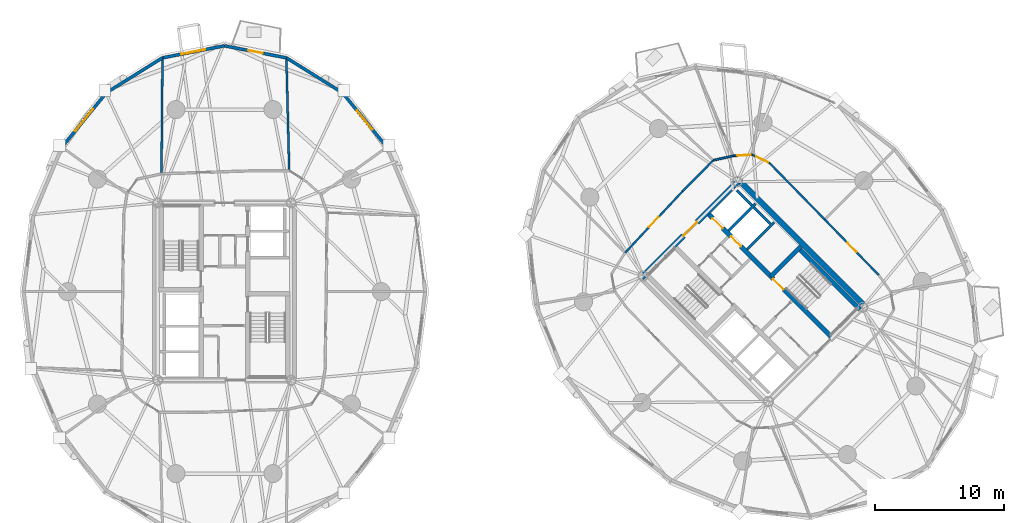
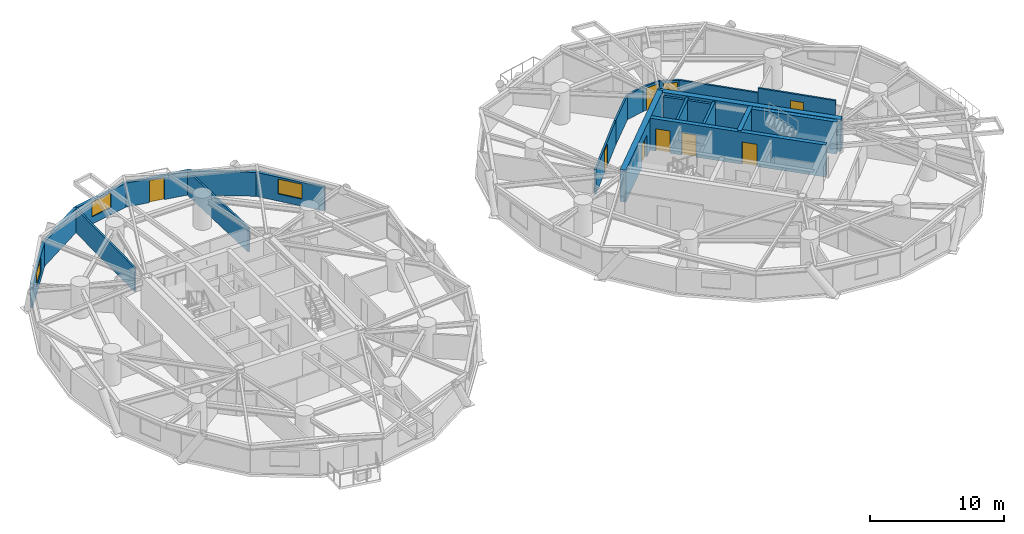
# One storey, part 14 of 19: 24 walls, 9 doors, 3 windows, 12 openings.
"""IFC4 building model written with IfcOpenShell, lengths in metres."""

from ifc_helpers import new_model, si_unit, direction, frame, frame_2d, origin, place, context, subcontext, project, spatial, rectangle, extrude, source, transform, mapped, material, layer, layer_set, type_object, element, fill, save


model = new_model("IFC4")

# Units and contexts
model_context = context("Model", 3, precision=1e-05, world=origin(), true_north=direction((0.0, 1.0)))
body_context = subcontext(model_context, "Body", "Model", "MODEL_VIEW")
ifc_project = project(units=[si_unit("LENGTHUNIT", "METRE"), si_unit("AREAUNIT", "SQUARE_METRE"), si_unit("VOLUMEUNIT", "CUBIC_METRE"), si_unit("PLANEANGLEUNIT", "RADIAN"), si_unit("MASSUNIT", "GRAM", prefix="KILO")], contexts=[model_context])

# Site, building, storey
site_placement = place(None, origin())
site = spatial("IfcSite", under=ifc_project, at=site_placement, CompositionType="ELEMENT")
building_placement = place(site_placement, origin())
building = spatial("IfcBuilding", under=site, at=building_placement, Name="Cununo Teusaquillo Station Towers", CompositionType="ELEMENT")
storey_placement = place(building_placement, frame((0.0, 0.0, 84.699951171875)))
storey = spatial("IfcBuildingStorey", under=building, at=storey_placement, Name="L26", CompositionType="ELEMENT", Elevation=84.699951171875)

# Walls
ifc_material_1 = material(Name="Concrete C50/60", Category="concrete")
ifc_layer_1 = layer(ifc_material_1, 0.199951171875)
ifc_layer_set_1 = layer_set([ifc_layer_1], Name="Concrete C50/60")
wall_type_1 = type_object("IfcWallType", Name="WL-CORE-200", PredefinedType="SHEAR", material=ifc_layer_set_1)
wall_1_placement = place(storey_placement, frame((57.0615234375, 27.781005859375, 0.0), z_axis=(0.0, 0.0, 1.0), x_axis=(0.707106781187, 0.707106781187, 0.0)))
element("IfcWall", 1, at=wall_1_placement, inside=storey, type_object=wall_type_1, Name="L26 Tower B Low-Rise Lift Hoistway South Shear Wall", PredefinedType="SHEAR", context=body_context, shape_type="SweptSolid", body=[
    extrude(rectangle(XDim=2.969970703125, YDim=0.199951171875, at=frame_2d((1.48486328125, 0.0))), origin(), (0.0, 0.0, 1.0), 2.91015625),
])
wall_2_placement = place(storey_placement, frame((55.615478515625, 29.22705078125, 0.0), z_axis=(0.0, 0.0, 1.0), x_axis=(0.707147878904, 0.70706568108, 0.0)))
element("IfcWall", 2, at=wall_2_placement, inside=storey, type_object=wall_type_1, Name="L26 Tower B Low-Rise Lift Hoistway Divider Shear Wall", PredefinedType="SHEAR", context=body_context, shape_type="SweptSolid", body=[
    extrude(rectangle(XDim=2.97021484375, YDim=0.199951171875, at=frame_2d((1.485107421875, 0.0))), origin(), (0.0, 0.0, 1.0), 2.91015625),
])
wall_3_placement = place(storey_placement, frame((58.86474609375, 29.75390625, 0.0), z_axis=(0.0, 0.0, 1.0), x_axis=(-0.707174411312, 0.707039144592, 0.0)))
element("IfcWall", 3, at=wall_3_placement, inside=storey, type_object=wall_type_1, Name="L26 Tower B Low-Rise Lift 1 Shaft Rear Shear Wall", PredefinedType="SHEAR", context=body_context, shape_type="SweptSolid", body=[
    extrude(rectangle(XDim=1.804931640625, YDim=0.199951171875, at=frame_2d((0.90234375, 0.0))), origin(), (0.0, 0.0, 1.0), 2.91015625),
])
wall_4_placement = place(storey_placement, frame((57.418701171875, 31.19970703125, 0.0), z_axis=(0.0, 0.0, 1.0), x_axis=(-0.707032117043, 0.707181437447, 0.0)))
element("IfcWall", 4, at=wall_4_placement, inside=storey, type_object=wall_type_1, Name="L26 Tower B Low-Rise Lift 2 Shaft Rear Shear Wall", PredefinedType="SHEAR", context=body_context, shape_type="SweptSolid", body=[
    extrude(rectangle(XDim=1.635009765625, YDim=0.199951171875, at=frame_2d((0.8173828125, 0.0))), origin(), (0.0, 0.0, 1.0), 2.91015625),
])

# Wall, openings, doors
ifc_material_2 = material(Name="Concrete C50/60", Category="concrete")
ifc_layer_2 = layer(ifc_material_2, 0.35009765625)
ifc_layer_set_2 = layer_set([ifc_layer_2], Name="Concrete C50/60")
wall_type_2 = type_object("IfcWallType", Name="WL-CORE-350", PredefinedType="SHEAR", material=ifc_layer_set_2)
wall_5_placement = place(storey_placement, frame((63.644775390625, 20.922119140625, 0.0), z_axis=(0.0, 0.0, 1.0), x_axis=(-0.707106781187, 0.707106781187, 0.0)))
wall_5 = element("IfcWall", 5, at=wall_5_placement, inside=storey, type_object=wall_type_2, Name="L26 Tower B Core Shear Wall IE", PredefinedType="SHEAR", context=body_context, shape_type="SweptSolid", body=[
    extrude(rectangle(XDim=13.75, YDim=0.35009765625, at=frame_2d((6.875, 0.0))), origin(), (0.0, 0.0, 1.0), 2.91015625),
])
shared_shape_1 = source(origin(), body_context, "Body", "SweptSolid", [
    extrude(rectangle(XDim=1.10009765625, YDim=2.014892578125, at=frame_2d((0.550048828125, 1.00732421875))), frame((0.0, 0.18505859375, 0.0), z_axis=(0.0, -1.0, 0.0), x_axis=(1.0, 0.0, 0.0)), (0.0, 0.0, 1.0), 0.3701171875),
])
opening_1_placement = place(wall_5_placement, frame((10.0, 0.0, 0.0)))
opening_1 = element("IfcOpeningElement", 6, at=opening_1_placement, cuts=wall_5, Name="Opening LD-01", PredefinedType="OPENING", context=body_context, shape_type="MappedRepresentation", body=[
    mapped(shared_shape_1, transform((0.0, 0.0, 0.0), x_axis=(1.0, 0.0, 0.0), y_axis=(0.0, 1.0, 0.0), z_axis=(0.0, 0.0, 1.0), scale=1.0)),
])
opening_2_placement = place(wall_5_placement, frame((12.0, 0.0, 0.0)))
opening_2 = element("IfcOpeningElement", 7, at=opening_2_placement, cuts=wall_5, Name="Opening LD-01", PredefinedType="OPENING", context=body_context, shape_type="MappedRepresentation", body=[
    mapped(shared_shape_1, transform((0.0, 0.0, 0.0), x_axis=(1.0, 0.0, 0.0), y_axis=(0.0, 1.0, 0.0), z_axis=(0.0, 0.0, 1.0), scale=1.0)),
])
shared_shape_2 = source(origin(), body_context, "Body", "SweptSolid", [
    extrude(rectangle(XDim=1.14990234375, YDim=2.02001953125, at=frame_2d((0.574951171875, 1.010009765625))), frame((0.0, 0.18505859375, 0.0), z_axis=(0.0, -1.0, 0.0), x_axis=(1.0, 0.0, 0.0)), (0.0, 0.0, 1.0), 0.3701171875),
])
opening_3_placement = place(wall_5_placement, frame((5.304931640625, 0.0, 0.0)))
opening_3 = element("IfcOpeningElement", 8, at=opening_3_placement, cuts=wall_5, Name="Opening D-ST1", PredefinedType="OPENING", context=body_context, shape_type="MappedRepresentation", body=[
    mapped(shared_shape_2, transform((0.0, 0.0, 0.0), x_axis=(1.0, 0.0, 0.0), y_axis=(0.0, 1.0, 0.0), z_axis=(0.0, 0.0, 1.0), scale=1.0)),
])
ifc_material_3 = material(Name="Galvanised fire-rated hollow steel door assembly", Category="steel")
door_type_1 = type_object("IfcDoorType", Name="DR-LIFT-1100", OperationType="SLIDING_TO_LEFT", PredefinedType="DOOR", material=ifc_material_3)
shared_shape_3 = source(origin(), body_context, "Body", "SweptSolid", [
    extrude(rectangle(XDim=1.10009765625, YDim=2.014892578125, at=frame_2d((0.550048828125, 1.00732421875))), frame((0.0, 0.02490234375, 0.0), z_axis=(0.0, -1.0, 0.0), x_axis=(1.0, 0.0, 0.0)), (0.0, 0.0, 1.0), 0.050048828125),
])
door_1_placement = place(opening_1_placement, origin())
door_1 = element("IfcDoor", 9, at=door_1_placement, inside=storey, type_object=door_type_1, Name="L26 Lift PL-T2-L1 Sliding Landing Door", OperationType="SLIDING_TO_RIGHT", OverallHeight=2.014892578125, OverallWidth=1.10009765625, PredefinedType="DOOR", context=body_context, shape_type="MappedRepresentation", body=[
    mapped(shared_shape_3, transform((0.0, 0.0, 0.0), x_axis=(1.0, 0.0, 0.0), y_axis=(0.0, 1.0, 0.0), z_axis=(0.0, 0.0, 1.0), scale=1.0)),
])
fill(opening_1, door_1)
door_2_placement = place(opening_2_placement, origin())
door_2 = element("IfcDoor", 10, at=door_2_placement, inside=storey, type_object=door_type_1, Name="L26 Lift PL-T2-L2 Sliding Landing Door", OperationType="SLIDING_TO_LEFT", OverallHeight=2.014892578125, OverallWidth=1.10009765625, PredefinedType="DOOR", context=body_context, shape_type="MappedRepresentation", body=[
    mapped(shared_shape_3, transform((0.0, 0.0, 0.0), x_axis=(1.0, 0.0, 0.0), y_axis=(0.0, 1.0, 0.0), z_axis=(0.0, 0.0, 1.0), scale=1.0)),
])
fill(opening_2, door_2)
ifc_material_4 = material(Name="Galvanised fire-rated hollow steel door assembly", Category="steel")
door_type_2 = type_object("IfcDoorType", Name="DR-STAIR-1150", OperationType="NOTDEFINED", PredefinedType="DOOR", material=ifc_material_4)
shared_shape_4 = source(origin(), body_context, "Body", "SweptSolid", [
    extrude(rectangle(XDim=1.14990234375, YDim=2.02001953125, at=frame_2d((0.574951171875, 1.010009765625))), frame((0.0, 0.02490234375, 0.0), z_axis=(0.0, -1.0, 0.0), x_axis=(1.0, 0.0, 0.0)), (0.0, 0.0, 1.0), 0.050048828125),
])
door_3_placement = place(opening_3_placement, origin())
door_3 = element("IfcDoor", 11, at=door_3_placement, inside=storey, type_object=door_type_2, Name="L26 Tower B Exit Stair 2 Fire Door", OperationType="SINGLE_SWING_LEFT", OverallHeight=2.02001953125, OverallWidth=1.14990234375, PredefinedType="DOOR", context=body_context, shape_type="MappedRepresentation", body=[
    mapped(shared_shape_4, transform((0.0, 0.0, 0.0), x_axis=(1.0, 0.0, 0.0), y_axis=(0.0, 1.0, 0.0), z_axis=(0.0, 0.0, 1.0), scale=1.0)),
])
fill(opening_3, door_3)

# Walls
wall_6_placement = place(storey_placement, frame((65.82958984375, 23.10693359375, 0.0), z_axis=(0.0, 0.0, 1.0), x_axis=(-0.707088616009, 0.707124945897, 0.0)))
element("IfcWall", 12, at=wall_6_placement, inside=storey, type_object=wall_type_2, Name="L26 Tower B Core Shear Wall ST2E", PredefinedType="SHEAR", context=body_context, shape_type="SweptSolid", body=[
    extrude(rectangle(XDim=6.72021484375, YDim=0.35009765625, at=frame_2d((3.360107421875, 0.0))), origin(), (0.0, 0.0, 1.0), 2.91015625),
])
wall_7_placement = place(storey_placement, frame((58.89306640625, 25.673828125, 0.0), z_axis=(0.0, 0.0, 1.0), x_axis=(0.707106781187, 0.707106781187, 0.0)))
element("IfcWall", 13, at=wall_7_placement, inside=storey, type_object=wall_type_2, Name="L26 Tower B Core Shear Wall ST2N", PredefinedType="SHEAR", context=body_context, shape_type="SweptSolid", body=[
    extrude(rectangle(XDim=3.284912109375, YDim=0.35009765625, at=frame_2d((1.642578125, 0.0))), origin(), (0.0, 0.0, 1.0), 2.91015625),
])
ifc_material_5 = material(Name="Concrete C60/75", Category="concrete")
ifc_layer_3 = layer(ifc_material_5, 0.449951171875)
ifc_layer_set_3 = layer_set([ifc_layer_3], Name="Concrete C60/75")
wall_type_3 = type_object("IfcWallType", Name="WL-CORE-450", PredefinedType="SHEAR", material=ifc_layer_set_3)
wall_8_placement = place(storey_placement, frame((66.303466796875, 23.2626953125, 0.0), z_axis=(0.0, 0.0, 1.0), x_axis=(-0.707106781187, 0.707106781187, 0.0)))
element("IfcWall", 14, at=wall_8_placement, inside=storey, type_object=wall_type_3, Name="L26 Tower B Core Shear Wall E", PredefinedType="SHEAR", context=body_context, shape_type="SweptSolid", body=[
    extrude(rectangle(XDim=14.19970703125, YDim=0.449951171875, at=frame_2d((7.099853515625, 0.0))), origin(), (0.0, 0.0, 1.0), 2.91015625),
])

# Wall, opening, door
wall_9_placement = place(storey_placement, frame((48.855712890625, 25.578369140625, 0.0), z_axis=(0.0, 0.0, 1.0), x_axis=(0.707106781187, 0.707106781187, 0.0)))
wall_9 = element("IfcWall", 15, at=wall_9_placement, inside=storey, type_object=wall_type_3, Name="L26 Tower B Core Shear Wall N", PredefinedType="SHEAR", context=body_context, shape_type="SweptSolid", body=[
    extrude(rectangle(XDim=10.69970703125, YDim=0.449951171875, at=frame_2d((5.349853515625, 0.0))), origin(), (0.0, 0.0, 1.0), 2.91015625),
])
shared_shape_5 = source(origin(), body_context, "Body", "SweptSolid", [
    extrude(rectangle(XDim=1.5, YDim=2.02001953125, at=frame_2d((0.75, 1.010009765625))), frame((0.0, 0.23486328125, 0.0), z_axis=(0.0, -1.0, 0.0), x_axis=(1.0, 0.0, 0.0)), (0.0, 0.0, 1.0), 0.469970703125),
])
opening_4_placement = place(wall_9_placement, frame((4.60009765625, 0.0, 0.0)))
opening_4 = element("IfcOpeningElement", 16, at=opening_4_placement, cuts=wall_9, Name="Opening D-LB1", PredefinedType="OPENING", context=body_context, shape_type="MappedRepresentation", body=[
    mapped(shared_shape_5, transform((0.0, 0.0, 0.0), x_axis=(1.0, 0.0, 0.0), y_axis=(0.0, 1.0, 0.0), z_axis=(0.0, 0.0, 1.0), scale=1.0)),
])
ifc_material_6 = material(Name="Galvanised fire-rated hollow steel door assembly", Category="steel")
door_type_3 = type_object("IfcDoorType", Name="DR-LOBBY-1500", OperationType="DOUBLE_DOOR_SINGLE_SWING", PredefinedType="DOOR", material=ifc_material_6)
shared_shape_6 = source(origin(), body_context, "Body", "SweptSolid", [
    extrude(rectangle(XDim=1.5, YDim=2.02001953125, at=frame_2d((0.75, 1.010009765625))), frame((0.0, 0.02490234375, 0.0), z_axis=(0.0, -1.0, 0.0), x_axis=(1.0, 0.0, 0.0)), (0.0, 0.0, 1.0), 0.050048828125),
])
door_4_placement = place(opening_4_placement, origin())
door_4 = element("IfcDoor", 17, at=door_4_placement, inside=storey, type_object=door_type_3, Name="L26 Tower B North Core Lift Lobby Door", OperationType="DOUBLE_DOOR_SINGLE_SWING", OverallHeight=2.02001953125, OverallWidth=1.5, PredefinedType="DOOR", context=body_context, shape_type="MappedRepresentation", body=[
    mapped(shared_shape_6, transform((0.0, 0.0, 0.0), x_axis=(1.0, 0.0, 0.0), y_axis=(0.0, 1.0, 0.0), z_axis=(0.0, 0.0, 1.0), scale=1.0)),
])
fill(opening_4, door_4)

# Wall, opening, window
ifc_material_7 = material(Name="Precast concrete C40/50", Category="concrete")
ifc_layer_4 = layer(ifc_material_7, 0.239990234375)
ifc_layer_set_4 = layer_set([ifc_layer_4], Name="Precast concrete C40/50")
wall_type_4 = type_object("IfcWallType", Name="WL-EXT-240", PredefinedType="SOLIDWALL", material=ifc_layer_set_4)
wall_10_placement = place(storey_placement, frame((25.658203125, 39.927978515625, 0.0), z_axis=(0.0, 0.0, 1.0), x_axis=(0.632700781152, -0.77439635945, 0.0)))
wall_10 = element("IfcWall", 18, at=wall_10_placement, inside=storey, type_object=wall_type_4, Name="L26 Tower A Exterior Facade Wall C02", PredefinedType="SOLIDWALL", context=body_context, shape_type="SweptSolid", body=[
    extrude(rectangle(XDim=5.447998046875, YDim=0.239990234375, at=frame_2d((2.72412109375, 0.0))), origin(), (0.0, 0.0, 1.0), 2.178955078125),
])
shared_shape_7 = source(origin(), body_context, "Body", "SweptSolid", [
    extrude(rectangle(XDim=1.89990234375, YDim=1.35009765625, at=frame_2d((0.949951171875, 0.675048828125))), frame((0.0, 0.1298828125, 0.0), z_axis=(0.0, -1.0, 0.0), x_axis=(1.0, 0.0, 0.0)), (0.0, 0.0, 1.0), 0.260009765625),
])
opening_5_placement = place(wall_10_placement, frame((1.77392578125, 0.0, 0.64990234375)))
opening_5 = element("IfcOpeningElement", 19, at=opening_5_placement, cuts=wall_10, Name="Opening WN-02", PredefinedType="OPENING", context=body_context, shape_type="MappedRepresentation", body=[
    mapped(shared_shape_7, transform((0.0, 0.0, 0.0), x_axis=(1.0, 0.0, 0.0), y_axis=(0.0, 1.0, 0.0), z_axis=(0.0, 0.0, 1.0), scale=1.0)),
])
ifc_material_8 = material(Name="Operable acoustic tinted low-E double glazing", Category="glass")
window_type_1 = type_object("IfcWindowType", Name="WIN-OPER-1900", PartitioningType="DOUBLE_PANEL_VERTICAL", PredefinedType="WINDOW", material=ifc_material_8)
shared_shape_8 = source(origin(), body_context, "Body", "SweptSolid", [
    extrude(rectangle(XDim=1.89990234375, YDim=1.35009765625, at=frame_2d((0.949951171875, 0.675048828125))), frame((0.0, 0.030029296875, 0.0), z_axis=(0.0, -1.0, 0.0), x_axis=(1.0, 0.0, 0.0)), (0.0, 0.0, 1.0), 0.06005859375),
])
window_1_placement = place(opening_5_placement, origin())
window_1 = element("IfcWindow", 20, at=window_1_placement, inside=storey, type_object=window_type_1, Name="L26 Tower A Facade Window C02", OverallHeight=1.35009765625, OverallWidth=1.89990234375, PartitioningType="DOUBLE_PANEL_VERTICAL", PredefinedType="WINDOW", context=body_context, shape_type="MappedRepresentation", body=[
    mapped(shared_shape_8, transform((0.0, 0.0, 0.0), x_axis=(1.0, 0.0, 0.0), y_axis=(0.0, 1.0, 0.0), z_axis=(0.0, 0.0, 1.0), scale=1.0)),
])
fill(opening_5, window_1)

# Wall
wall_11_placement = place(storey_placement, frame((21.314697265625, 42.63671875, 0.0), z_axis=(0.0, 0.0, 1.0), x_axis=(0.848520380187, -0.529162701263, 0.0)))
element("IfcWall", 21, at=wall_11_placement, inside=storey, type_object=wall_type_4, Name="L26 Tower A Exterior Facade Wall C03", PredefinedType="SOLIDWALL", context=body_context, shape_type="SweptSolid", body=[
    extrude(rectangle(XDim=5.118896484375, YDim=0.239990234375, at=frame_2d((2.5595703125, 0.0))), origin(), (0.0, 0.0, 1.0), 2.178955078125),
])

# Wall, opening, door
wall_12_placement = place(storey_placement, frame((16.5, 43.570068359375, 0.0), z_axis=(0.0, 0.0, 1.0), x_axis=(0.981723785992, -0.190311344954, 0.0)))
wall_12 = element("IfcWall", 22, at=wall_12_placement, inside=storey, type_object=wall_type_4, Name="L26 Tower A Exterior Facade Wall C04", PredefinedType="SOLIDWALL", context=body_context, shape_type="SweptSolid", body=[
    extrude(rectangle(XDim=4.904296875, YDim=0.239990234375, at=frame_2d((2.4521484375, 0.0))), origin(), (0.0, 0.0, 1.0), 2.178955078125),
])
shared_shape_9 = source(origin(), body_context, "Body", "SweptSolid", [
    extrude(rectangle(XDim=1.14990234375, YDim=2.0048828125, at=frame_2d((0.574951171875, 1.00244140625))), frame((0.0, 0.1298828125, 0.0), z_axis=(0.0, -1.0, 0.0), x_axis=(1.0, 0.0, 0.0)), (0.0, 0.0, 1.0), 0.260009765625),
])
opening_6_placement = place(wall_12_placement, frame((1.876953125, 0.0, 0.0)))
opening_6 = element("IfcOpeningElement", 23, at=opening_6_placement, cuts=wall_12, Name="Opening ED-03", PredefinedType="OPENING", context=body_context, shape_type="MappedRepresentation", body=[
    mapped(shared_shape_9, transform((0.0, 0.0, 0.0), x_axis=(1.0, 0.0, 0.0), y_axis=(0.0, 1.0, 0.0), z_axis=(0.0, 0.0, 1.0), scale=1.0)),
])
ifc_material_9 = material(Name="Anodised dark bronze aluminium EN AW-6063-T6", Category="aluminium")
door_type_4 = type_object("IfcDoorType", Name="DR-EXT-BAL", OperationType="NOTDEFINED", PredefinedType="DOOR", material=ifc_material_9)
shared_shape_10 = source(origin(), body_context, "Body", "SweptSolid", [
    extrude(rectangle(XDim=1.14990234375, YDim=2.0048828125, at=frame_2d((0.574951171875, 1.00244140625))), frame((0.0, 0.02490234375, 0.0), z_axis=(0.0, -1.0, 0.0), x_axis=(1.0, 0.0, 0.0)), (0.0, 0.0, 1.0), 0.050048828125),
])
door_5_placement = place(opening_6_placement, origin())
door_5 = element("IfcDoor", 24, at=door_5_placement, inside=storey, type_object=door_type_4, Name="L26 Tower A Tree Balcony Door C04", OperationType="SINGLE_SWING_LEFT", OverallHeight=2.0048828125, OverallWidth=1.14990234375, PredefinedType="DOOR", context=body_context, shape_type="MappedRepresentation", body=[
    mapped(shared_shape_10, transform((0.0, 0.0, 0.0), x_axis=(1.0, 0.0, 0.0), y_axis=(0.0, 1.0, 0.0), z_axis=(0.0, 0.0, 1.0), scale=1.0)),
])
fill(opening_6, door_5)

# Wall, opening, window
wall_13_placement = place(storey_placement, frame((11.685302734375, 42.63671875, 0.0), z_axis=(0.0, 0.0, 1.0), x_axis=(0.981723785992, 0.190311344954, 0.0)))
wall_13 = element("IfcWall", 25, at=wall_13_placement, inside=storey, type_object=wall_type_4, Name="L26 Tower A Exterior Facade Wall C05", PredefinedType="SOLIDWALL", context=body_context, shape_type="SweptSolid", body=[
    extrude(rectangle(XDim=4.904296875, YDim=0.239990234375, at=frame_2d((2.4521484375, 0.0))), origin(), (0.0, 0.0, 1.0), 2.178955078125),
])
opening_7_placement = place(wall_13_placement, frame((1.501953125, 0.0, 0.64990234375)))
opening_7 = element("IfcOpeningElement", 26, at=opening_7_placement, cuts=wall_13, Name="Opening WN-02", PredefinedType="OPENING", context=body_context, shape_type="MappedRepresentation", body=[
    mapped(shared_shape_7, transform((0.0, 0.0, 0.0), x_axis=(1.0, 0.0, 0.0), y_axis=(0.0, 1.0, 0.0), z_axis=(0.0, 0.0, 1.0), scale=1.0)),
])
window_2_placement = place(opening_7_placement, origin())
window_2 = element("IfcWindow", 27, at=window_2_placement, inside=storey, type_object=window_type_1, Name="L26 Tower A Facade Window C05", OverallHeight=1.35009765625, OverallWidth=1.89990234375, PartitioningType="DOUBLE_PANEL_VERTICAL", PredefinedType="WINDOW", context=body_context, shape_type="MappedRepresentation", body=[
    mapped(shared_shape_8, transform((0.0, 0.0, 0.0), x_axis=(1.0, 0.0, 0.0), y_axis=(0.0, 1.0, 0.0), z_axis=(0.0, 0.0, 1.0), scale=1.0)),
])
fill(opening_7, window_2)

# Wall
wall_14_placement = place(storey_placement, frame((7.341796875, 39.927978515625, 0.0), z_axis=(0.0, 0.0, 1.0), x_axis=(0.848520380187, 0.529162701263, 0.0)))
element("IfcWall", 28, at=wall_14_placement, inside=storey, type_object=wall_type_4, Name="L26 Tower A Exterior Facade Wall C06", PredefinedType="SOLIDWALL", context=body_context, shape_type="SweptSolid", body=[
    extrude(rectangle(XDim=5.118896484375, YDim=0.239990234375, at=frame_2d((2.5595703125, 0.0))), origin(), (0.0, 0.0, 1.0), 2.178955078125),
])

# Wall, opening, window
wall_15_placement = place(storey_placement, frame((3.894775390625, 35.708984375, 0.0), z_axis=(0.0, 0.0, 1.0), x_axis=(0.632700781152, 0.77439635945, 0.0)))
wall_15 = element("IfcWall", 29, at=wall_15_placement, inside=storey, type_object=wall_type_4, Name="L26 Tower A Exterior Facade Wall C07", PredefinedType="SOLIDWALL", context=body_context, shape_type="SweptSolid", body=[
    extrude(rectangle(XDim=5.447998046875, YDim=0.239990234375, at=frame_2d((2.72412109375, 0.0))), origin(), (0.0, 0.0, 1.0), 2.178955078125),
])
shared_shape_11 = source(origin(), body_context, "Body", "SweptSolid", [
    extrude(rectangle(XDim=2.199951171875, YDim=1.35009765625, at=frame_2d((1.10009765625, 0.675048828125))), frame((0.0, 0.1298828125, 0.0), z_axis=(0.0, -1.0, 0.0), x_axis=(1.0, 0.0, 0.0)), (0.0, 0.0, 1.0), 0.260009765625),
])
opening_8_placement = place(wall_15_placement, frame((1.6240234375, 0.0, 0.64990234375)))
opening_8 = element("IfcOpeningElement", 30, at=opening_8_placement, cuts=wall_15, Name="Opening WN-01", PredefinedType="OPENING", context=body_context, shape_type="MappedRepresentation", body=[
    mapped(shared_shape_11, transform((0.0, 0.0, 0.0), x_axis=(1.0, 0.0, 0.0), y_axis=(0.0, 1.0, 0.0), z_axis=(0.0, 0.0, 1.0), scale=1.0)),
])
ifc_material_10 = material(Name="Ceramic-fritted dark low-E double glazing", Category="glass")
window_type_2 = type_object("IfcWindowType", Name="WIN-FRIT-2200", PartitioningType="DOUBLE_PANEL_VERTICAL", PredefinedType="WINDOW", material=ifc_material_10)
shared_shape_12 = source(origin(), body_context, "Body", "SweptSolid", [
    extrude(rectangle(XDim=2.199951171875, YDim=1.35009765625, at=frame_2d((1.10009765625, 0.675048828125))), frame((0.0, 0.030029296875, 0.0), z_axis=(0.0, -1.0, 0.0), x_axis=(1.0, 0.0, 0.0)), (0.0, 0.0, 1.0), 0.06005859375),
])
window_3_placement = place(opening_8_placement, origin())
window_3 = element("IfcWindow", 31, at=window_3_placement, inside=storey, type_object=window_type_2, Name="L26 Tower A Facade Window C07", OverallHeight=1.35009765625, OverallWidth=2.199951171875, PartitioningType="DOUBLE_PANEL_VERTICAL", PredefinedType="WINDOW", context=body_context, shape_type="MappedRepresentation", body=[
    mapped(shared_shape_12, transform((0.0, 0.0, 0.0), x_axis=(1.0, 0.0, 0.0), y_axis=(0.0, 1.0, 0.0), z_axis=(0.0, 0.0, 1.0), scale=1.0)),
])
fill(opening_8, window_3)

# Wall
ifc_material_11 = material(Name="Fire-rated gypsum plasterboard partition assembly", Category="gypsum")
ifc_layer_5 = layer(ifc_material_11, 0.14990234375)
ifc_layer_set_5 = layer_set([ifc_layer_5], Name="Fire-rated gypsum plasterboard partition assembly")
wall_type_5 = type_object("IfcWallType", Name="WL-PART-150", PredefinedType="PARTITIONING", material=ifc_layer_set_5)
wall_16_placement = place(storey_placement, frame((63.086181640625, 30.086181640625, 0.0), z_axis=(0.0, 0.0, 1.0), x_axis=(-0.699075897379, 0.715047473741, 0.0)))
element("IfcWall", 32, at=wall_16_placement, inside=storey, type_object=wall_type_5, Name="L26 Tower B Corridor Ring Wall C00", PredefinedType="PARTITIONING", context=body_context, shape_type="SweptSolid", body=[
    extrude(rectangle(XDim=6.1142578125, YDim=0.14990234375, at=frame_2d((3.05712890625, 0.0))), origin(), (0.0, 0.0, 1.0), 2.22509765625),
])

# Wall, opening, door
wall_17_placement = place(storey_placement, frame((58.811767578125, 34.458251953125, 0.0), z_axis=(0.0, 0.0, 1.0), x_axis=(-0.899559490277, 0.436798264021, 0.0)))
wall_17 = element("IfcWall", 33, at=wall_17_placement, inside=storey, type_object=wall_type_5, Name="L26 Tower B Corridor Ring Wall C01", PredefinedType="PARTITIONING", context=body_context, shape_type="SweptSolid", body=[
    extrude(rectangle(XDim=1.4951171875, YDim=0.14990234375, at=frame_2d((0.74755859375, 0.0))), origin(), (0.0, 0.0, 1.0), 2.22509765625),
])
shared_shape_13 = source(origin(), body_context, "Body", "SweptSolid", [
    extrude(rectangle(XDim=1.050048828125, YDim=2.014892578125, at=frame_2d((0.52490234375, 1.00732421875))), frame((0.0, 0.0849609375, 0.0), z_axis=(0.0, -1.0, 0.0), x_axis=(1.0, 0.0, 0.0)), (0.0, 0.0, 1.0), 0.169921875),
])
opening_9_placement = place(wall_17_placement, frame((0.1201171875, 0.0, 0.0)))
opening_9 = element("IfcOpeningElement", 34, at=opening_9_placement, cuts=wall_17, Name="Opening D-SU1", PredefinedType="OPENING", context=body_context, shape_type="MappedRepresentation", body=[
    mapped(shared_shape_13, transform((0.0, 0.0, 0.0), x_axis=(1.0, 0.0, 0.0), y_axis=(0.0, 1.0, 0.0), z_axis=(0.0, 0.0, 1.0), scale=1.0)),
])
ifc_material_12 = material(Name="Acoustic solid-core hardwood leaf assembly", Category="wood")
door_type_5 = type_object("IfcDoorType", Name="DR-SUITE-1050", OperationType="NOTDEFINED", PredefinedType="DOOR", material=ifc_material_12)
shared_shape_14 = source(origin(), body_context, "Body", "SweptSolid", [
    extrude(rectangle(XDim=1.050048828125, YDim=2.014892578125, at=frame_2d((0.52490234375, 1.00732421875))), frame((0.0, 0.02490234375, 0.0), z_axis=(0.0, -1.0, 0.0), x_axis=(1.0, 0.0, 0.0)), (0.0, 0.0, 1.0), 0.050048828125),
])
door_6_placement = place(opening_9_placement, origin())
door_6 = element("IfcDoor", 35, at=door_6_placement, inside=storey, type_object=door_type_5, Name="L26 Tower B Senior Partners Law Chambers Entrance Door", OperationType="SINGLE_SWING_RIGHT", OverallHeight=2.014892578125, OverallWidth=1.050048828125, PredefinedType="DOOR", context=body_context, shape_type="MappedRepresentation", body=[
    mapped(shared_shape_14, transform((0.0, 0.0, 0.0), x_axis=(1.0, 0.0, 0.0), y_axis=(0.0, 1.0, 0.0), z_axis=(0.0, 0.0, 1.0), scale=1.0)),
])
fill(opening_9, door_6)

wall_18_placement = place(storey_placement, frame((57.466796875, 35.111328125, 0.0), z_axis=(0.0, 0.0, 1.0), x_axis=(-0.998691757323, -0.051134859488, 0.0)))
wall_18 = element("IfcWall", 36, at=wall_18_placement, inside=storey, type_object=wall_type_5, Name="L26 Tower B Corridor Ring Wall C02", PredefinedType="PARTITIONING", context=body_context, shape_type="SweptSolid", body=[
    extrude(rectangle(XDim=1.48486328125, YDim=0.14990234375, at=frame_2d((0.742431640625, 0.0))), origin(), (0.0, 0.0, 1.0), 2.22509765625),
])
opening_10_placement = place(wall_18_placement, frame((0.1201171875, 0.0, 0.0)))
opening_10 = element("IfcOpeningElement", 37, at=opening_10_placement, cuts=wall_18, Name="Opening D-SU1", PredefinedType="OPENING", context=body_context, shape_type="MappedRepresentation", body=[
    mapped(shared_shape_13, transform((0.0, 0.0, 0.0), x_axis=(1.0, 0.0, 0.0), y_axis=(0.0, 1.0, 0.0), z_axis=(0.0, 0.0, 1.0), scale=1.0)),
])
door_7_placement = place(opening_10_placement, origin())
door_7 = element("IfcDoor", 38, at=door_7_placement, inside=storey, type_object=door_type_5, Name="L26 Tower B Legal Arbitration Hearing Room Entrance Door", OperationType="SINGLE_SWING_LEFT", OverallHeight=2.014892578125, OverallWidth=1.050048828125, PredefinedType="DOOR", context=body_context, shape_type="MappedRepresentation", body=[
    mapped(shared_shape_14, transform((0.0, 0.0, 0.0), x_axis=(1.0, 0.0, 0.0), y_axis=(0.0, 1.0, 0.0), z_axis=(0.0, 0.0, 1.0), scale=1.0)),
])
fill(opening_10, door_7)

# Walls
wall_19_placement = place(storey_placement, frame((55.98388671875, 35.035400390625, 0.0), z_axis=(0.0, 0.0, 1.0), x_axis=(-0.975290305708, -0.22092718165, 0.0)))
element("IfcWall", 39, at=wall_19_placement, inside=storey, type_object=wall_type_5, Name="L26 Tower B Corridor Ring Wall C03", PredefinedType="PARTITIONING", context=body_context, shape_type="SweptSolid", body=[
    extrude(rectangle(XDim=1.596923828125, YDim=0.14990234375, at=frame_2d((0.79833984375, 0.0))), origin(), (0.0, 0.0, 1.0), 2.22509765625),
])
wall_20_placement = place(storey_placement, frame((54.426513671875, 34.6826171875, 0.0), z_axis=(0.0, 0.0, 1.0), x_axis=(-0.704178989986, -0.710022499687, 0.0)))
element("IfcWall", 40, at=wall_20_placement, inside=storey, type_object=wall_type_5, Name="L26 Tower B Corridor Ring Wall C04", PredefinedType="PARTITIONING", context=body_context, shape_type="SweptSolid", body=[
    extrude(rectangle(XDim=3.38427734375, YDim=0.14990234375, at=frame_2d((1.692138671875, 0.0))), origin(), (0.0, 0.0, 1.0), 2.22509765625),
])

# Wall, opening, door
wall_21_placement = place(storey_placement, frame((52.04345703125, 32.27978515625, 0.0), z_axis=(0.0, 0.0, 1.0), x_axis=(-0.682606081633, -0.730786519661, 0.0)))
wall_21 = element("IfcWall", 41, at=wall_21_placement, inside=storey, type_object=wall_type_5, Name="L26 Tower B Corridor Ring Wall C05", PredefinedType="PARTITIONING", context=body_context, shape_type="SweptSolid", body=[
    extrude(rectangle(XDim=6.526611328125, YDim=0.14990234375, at=frame_2d((3.26318359375, 0.0))), origin(), (0.0, 0.0, 1.0), 2.22509765625),
])
opening_11_placement = place(wall_21_placement, frame((2.73828125, 0.0, 0.0)))
opening_11 = element("IfcOpeningElement", 42, at=opening_11_placement, cuts=wall_21, Name="Opening D-SU1", PredefinedType="OPENING", context=body_context, shape_type="MappedRepresentation", body=[
    mapped(shared_shape_13, transform((0.0, 0.0, 0.0), x_axis=(1.0, 0.0, 0.0), y_axis=(0.0, 1.0, 0.0), z_axis=(0.0, 0.0, 1.0), scale=1.0)),
])
door_8_placement = place(opening_11_placement, origin())
door_8 = element("IfcDoor", 43, at=door_8_placement, inside=storey, type_object=door_type_5, Name="L26 Tower B Associate Open-Plan Workplace Entrance Door", OperationType="SINGLE_SWING_LEFT", OverallHeight=2.014892578125, OverallWidth=1.050048828125, PredefinedType="DOOR", context=body_context, shape_type="MappedRepresentation", body=[
    mapped(shared_shape_14, transform((0.0, 0.0, 0.0), x_axis=(1.0, 0.0, 0.0), y_axis=(0.0, 1.0, 0.0), z_axis=(0.0, 0.0, 1.0), scale=1.0)),
])
fill(opening_11, door_8)

wall_22_placement = place(storey_placement, frame((67.270263671875, 25.77978515625, 0.0), z_axis=(0.0, 0.0, 1.0), x_axis=(-0.696847842907, 0.717218992942, 0.0)))
wall_22 = element("IfcWall", 44, at=wall_22_placement, inside=storey, type_object=wall_type_5, Name="L26 Tower B Corridor Ring Wall C19", PredefinedType="PARTITIONING", context=body_context, shape_type="SweptSolid", body=[
    extrude(rectangle(XDim=6.00439453125, YDim=0.14990234375, at=frame_2d((3.002197265625, 0.0))), origin(), (0.0, 0.0, 1.0), 2.655029296875),
])
shared_shape_15 = source(origin(), body_context, "Body", "SweptSolid", [
    extrude(rectangle(XDim=1.0, YDim=2.014892578125, at=frame_2d((0.5, 1.00732421875))), frame((0.0, 0.0849609375, 0.0), z_axis=(0.0, -1.0, 0.0), x_axis=(1.0, 0.0, 0.0)), (0.0, 0.0, 1.0), 0.169921875),
])
opening_12_placement = place(wall_22_placement, frame((2.502197265625, 0.0, 0.0)))
opening_12 = element("IfcOpeningElement", 45, at=opening_12_placement, cuts=wall_22, Name="Opening D-AC1", PredefinedType="OPENING", context=body_context, shape_type="MappedRepresentation", body=[
    mapped(shared_shape_15, transform((0.0, 0.0, 0.0), x_axis=(1.0, 0.0, 0.0), y_axis=(0.0, 1.0, 0.0), z_axis=(0.0, 0.0, 1.0), scale=1.0)),
])
ifc_material_13 = material(Name="Acoustic solid-core hardwood leaf assembly", Category="wood")
door_type_6 = type_object("IfcDoorType", Name="DR-ACC-1000", OperationType="NOTDEFINED", PredefinedType="DOOR", material=ifc_material_13)
shared_shape_16 = source(origin(), body_context, "Body", "SweptSolid", [
    extrude(rectangle(XDim=1.0, YDim=2.014892578125, at=frame_2d((0.5, 1.00732421875))), frame((0.0, 0.02490234375, 0.0), z_axis=(0.0, -1.0, 0.0), x_axis=(1.0, 0.0, 0.0)), (0.0, 0.0, 1.0), 0.050048828125),
])
door_9_placement = place(opening_12_placement, origin())
door_9 = element("IfcDoor", 46, at=door_9_placement, inside=storey, type_object=door_type_6, Name="L26 Tower B Public Accessible Restroom WC Entrance Door", OperationType="SINGLE_SWING_LEFT", OverallHeight=2.014892578125, OverallWidth=1.0, PredefinedType="DOOR", context=body_context, shape_type="MappedRepresentation", body=[
    mapped(shared_shape_16, transform((0.0, 0.0, 0.0), x_axis=(1.0, 0.0, 0.0), y_axis=(0.0, 1.0, 0.0), z_axis=(0.0, 0.0, 1.0), scale=1.0)),
])
fill(opening_12, door_9)

# Walls
ifc_material_14 = material(Name="Fire-rated gypsum plasterboard partition assembly", Category="gypsum")
ifc_layer_6 = layer(ifc_material_14, 0.159912109375)
ifc_layer_set_6 = layer_set([ifc_layer_6], Name="Fire-rated gypsum plasterboard partition assembly")
wall_type_6 = type_object("IfcWallType", Name="WL-PART-160", PredefinedType="PARTITIONING", material=ifc_layer_set_6)
wall_23_placement = place(storey_placement, frame((21.52685546875, 33.873291015625, 0.0), z_axis=(0.0, 0.0, 1.0), x_axis=(-0.024952442794, 0.999688639327, 0.0)))
element("IfcWall", 47, at=wall_23_placement, inside=storey, type_object=wall_type_6, Name="L26 Tower A Radial Suite Partition R03", PredefinedType="PARTITIONING", context=body_context, shape_type="SweptSolid", body=[
    extrude(rectangle(XDim=8.7470703125, YDim=0.159912109375, at=frame_2d((4.37353515625, 0.0))), origin(), (0.0, 0.0, 1.0), 2.178955078125),
])
wall_24_placement = place(storey_placement, frame((11.619873046875, 33.63720703125, 0.0), z_axis=(0.0, 0.0, 1.0), x_axis=(0.007965167065, 0.999968277554, 0.0)))
element("IfcWall", 48, at=wall_24_placement, inside=storey, type_object=wall_type_6, Name="L26 Tower A Radial Suite Partition R04", PredefinedType="PARTITIONING", context=body_context, shape_type="SweptSolid", body=[
    extrude(rectangle(XDim=8.980712890625, YDim=0.159912109375, at=frame_2d((4.490234375, 0.0))), origin(), (0.0, 0.0, 1.0), 2.178955078125),
])

save(model, "model.ifc")
